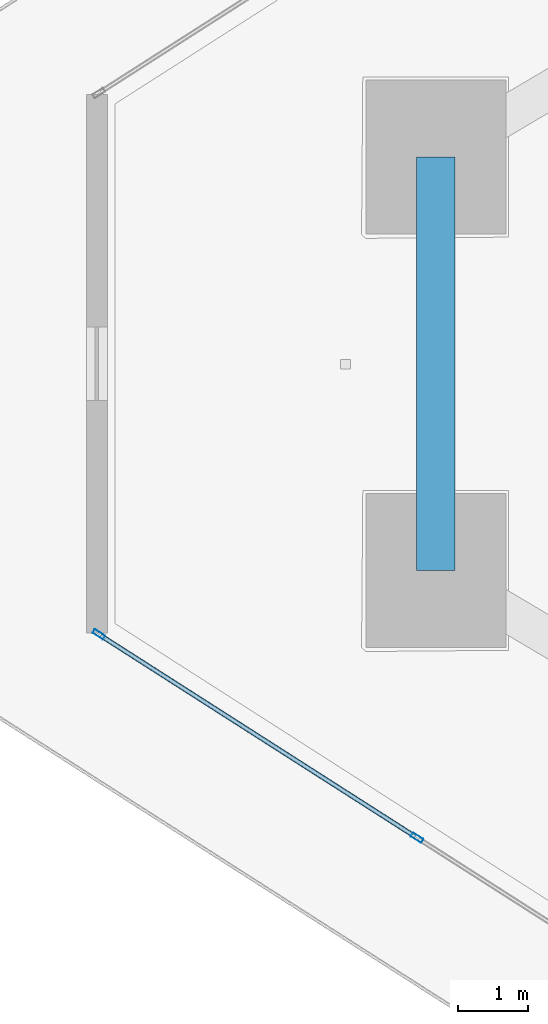
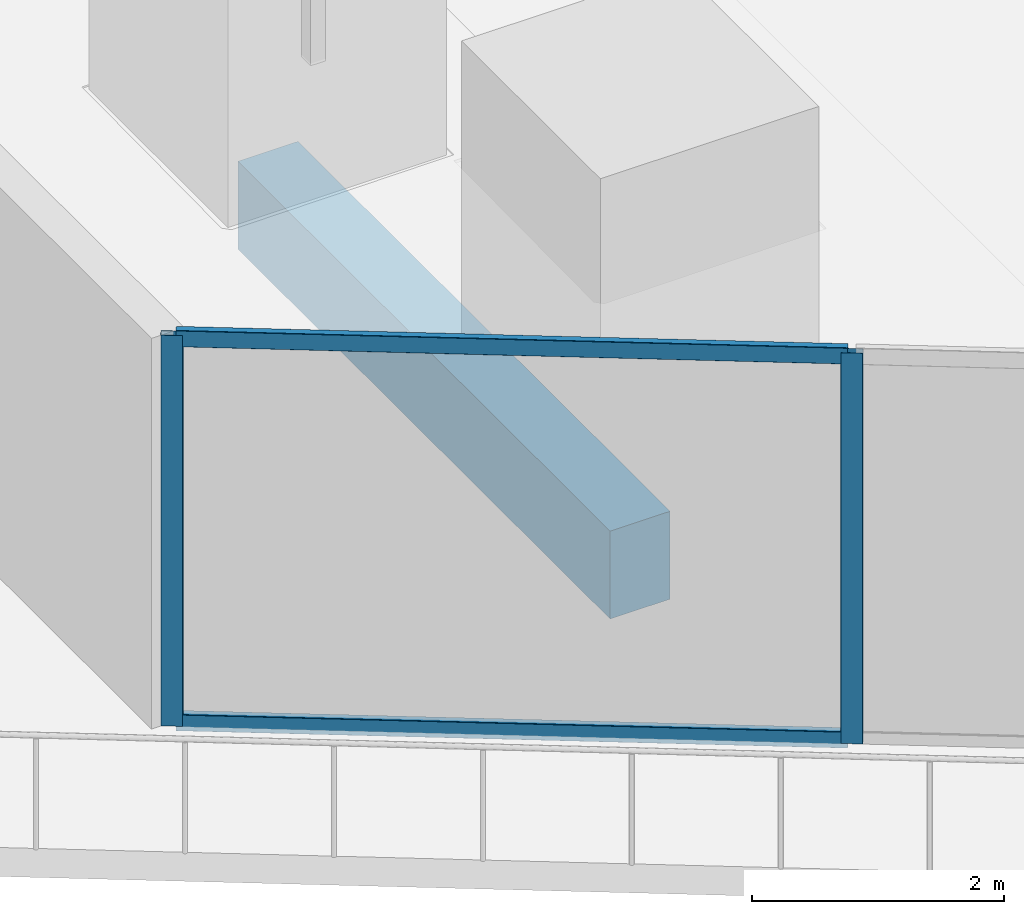
# One storey, part 4 of 35: 4 members, 1 beam, 1 element without a shape of its own.
"""IFC4 building model written with IfcOpenShell, lengths in metres."""

import ifcopenshell
import ifcopenshell.guid

model = None  # the IFC model being written
_history = None  # IfcOwnerHistory: only IFC2X3 demands one
_inside = {}  # id of a spatial element -> (the spatial element, [elements in it])
_under = {}  # id of a project, library or spatial element -> (it, [spatial elements below it])
_declared = {}  # id of a project -> (the project, [libraries it declares])
_typed = {}  # id of a type object -> (the type object, [elements of that type])
_made_of = {}  # id of a material, layer set ... -> (it, [elements and type objects made of it])


def new_model(schema):
    """Start an empty IFC model of exactly this schema.

    Asked for "IFC4X3", IfcOpenShell would pick the latest addendum, in which some entities
    have other attributes; the version numbers below select the first issue.
    IFC2X3 requires an IfcOwnerHistory on every rooted entity: one is made here for all.
    """
    global model, _history
    if schema == "IFC4X3":
        model = ifcopenshell.file(schema_version=(4, 3, 0, 0))
    else:
        model = ifcopenshell.file(schema=schema)
    _inside.clear()
    _under.clear()
    _declared.clear()
    _typed.clear()
    _made_of.clear()
    _history = None
    if model.schema == "IFC2X3":
        org = make("IfcOrganization", Name="unknown")
        user = make(
            "IfcPersonAndOrganization",
            ThePerson=make("IfcPerson", FamilyName="unknown"),
            TheOrganization=org,
        )
        app = make(
            "IfcApplication",
            ApplicationDeveloper=org,
            Version="unknown",
            ApplicationFullName="unknown",
            ApplicationIdentifier="unknown",
        )
        _history = make(
            "IfcOwnerHistory",
            OwningUser=user,
            OwningApplication=app,
            ChangeAction="ADDED",
            CreationDate=0,
        )
    return model


def make(cls, **values):
    """One entity of the class cls with the attributes given. An attribute that is None is left unset."""
    return model.create_entity(
        cls, **{name: value for name, value in values.items() if value is not None}
    )


def rooted(cls, **values):
    """An entity with a GlobalId (a new one), such as an element, a storey or a relation."""
    return make(cls, GlobalId=ifcopenshell.guid.new(), OwnerHistory=_history, **values)


def si_unit(unit_type, name, prefix=None):
    """IfcSIUnit, for example si_unit("LENGTHUNIT", "METRE", prefix="MILLI")."""
    return make("IfcSIUnit", UnitType=unit_type, Prefix=prefix, Name=name)


def assignment(units):
    """IfcUnitAssignment: the units of a project."""
    return None if units is None else make("IfcUnitAssignment", Units=units)


def point(xyz):
    """IfcCartesianPoint."""
    return None if xyz is None else make("IfcCartesianPoint", Coordinates=xyz)


def direction(xyz):
    """IfcDirection."""
    return None if xyz is None else make("IfcDirection", DirectionRatios=xyz)


def frame(location, z_axis=None, x_axis=None):
    """IfcAxis2Placement3D, a coordinate frame: its origin and axes. An axis left out is left unset."""
    return make(
        "IfcAxis2Placement3D",
        Location=point(location),
        Axis=direction(z_axis),
        RefDirection=direction(x_axis),
    )


def frame_2d(location, x_axis=None):
    """IfcAxis2Placement2D, a coordinate frame in the plane: its origin and x axis."""
    return make(
        "IfcAxis2Placement2D", Location=point(location), RefDirection=direction(x_axis)
    )


def origin():
    """The frame at (0, 0, 0) with its axes left unset."""
    return frame((0.0, 0.0, 0.0))


def origin_2d():
    """The frame at (0, 0) in the plane with its x axis left unset."""
    return frame_2d((0.0, 0.0))


def place(relative_to, where):
    """IfcLocalPlacement: puts the frame where relative to a parent placement (None: the world)."""
    return make(
        "IfcLocalPlacement", PlacementRelTo=relative_to, RelativePlacement=where
    )


def context(
    kind, dimensions, precision=None, world=None, true_north=None, identifier=None
):
    """IfcGeometricRepresentationContext, for example the 3D "Model" context."""
    return make(
        "IfcGeometricRepresentationContext",
        ContextIdentifier=identifier,
        ContextType=kind,
        CoordinateSpaceDimension=dimensions,
        Precision=precision,
        WorldCoordinateSystem=world,
        TrueNorth=true_north,
    )


def subcontext(parent, identifier, kind, view, scale=None):
    """IfcGeometricRepresentationSubContext, for example "Body" below "Model"."""
    return make(
        "IfcGeometricRepresentationSubContext",
        ContextIdentifier=identifier,
        ContextType=kind,
        ParentContext=parent,
        TargetScale=scale,
        TargetView=view,
    )


def project(units=None, contexts=None):
    """IfcProject with its units and contexts."""
    return rooted(
        "IfcProject",
        Name="project",
        RepresentationContexts=contexts,
        UnitsInContext=assignment(units),
    )


def spatial(cls, under=None, at=None, **own):
    """A site, building, storey or space (cls), placed at a placement, below another one or the project."""
    s = rooted(cls, ObjectPlacement=at, **own)
    if under is not None:
        _under.setdefault(under.id(), (under, []))[1].append(s)
    return s


def profile(cls, at=None, kind="AREA", **sizes):
    """A parametric profile (cls). Its sizes go by their IFC names, for example OverallWidth=200.0."""
    return make(cls, ProfileType=kind, Position=at, **sizes)


def rectangle(**sizes):
    """IfcRectangleProfileDef."""
    return profile("IfcRectangleProfileDef", **sizes)


def hollow_rectangle(**sizes):
    """IfcRectangleHollowProfileDef."""
    return profile("IfcRectangleHollowProfileDef", **sizes)


def extrude(swept, where, along, depth):
    """IfcExtrudedAreaSolid: the profile swept, set in the frame where, extruded along a direction by depth."""
    return make(
        "IfcExtrudedAreaSolid",
        SweptArea=swept,
        Position=where,
        ExtrudedDirection=direction(along),
        Depth=depth,
    )


def shape(context_of_items, identifier, shape_type, items):
    """IfcShapeRepresentation: the items that make up one representation, for example the "Body"."""
    return make(
        "IfcShapeRepresentation",
        ContextOfItems=context_of_items,
        RepresentationIdentifier=identifier,
        RepresentationType=shape_type,
        Items=items,
    )


def material(Name=None, Category=None):
    """IfcMaterial."""
    return make("IfcMaterial", Name=Name, Category=Category)


def layer(
    of_material, thickness, ventilated=None, Name=None, Category=None, Priority=None
):
    """IfcMaterialLayer: one layer of a wall or slab, of a material (None: an air gap)."""
    return make(
        "IfcMaterialLayer",
        Material=of_material,
        LayerThickness=thickness,
        IsVentilated=ventilated,
        Name=Name,
        Category=Category,
        Priority=Priority,
    )


def layer_set(layers, Name=None):
    """IfcMaterialLayerSet."""
    return make("IfcMaterialLayerSet", MaterialLayers=layers, LayerSetName=Name)


def material_profile(
    of_material, cross_section, Name=None, Category=None, Priority=None
):
    """IfcMaterialProfile: a cross section and its material."""
    return make(
        "IfcMaterialProfile",
        Name=Name,
        Material=of_material,
        Profile=cross_section,
        Priority=Priority,
        Category=Category,
    )


def profile_set(profiles, Name=None, composite=None):
    """IfcMaterialProfileSet."""
    return make(
        "IfcMaterialProfileSet",
        Name=Name,
        MaterialProfiles=profiles,
        CompositeProfile=composite,
    )


def made_of(thing, what):
    """Note that an element or type object is made of a material, layer set ...; save() writes the relation."""
    if what is not None:
        _made_of.setdefault(what.id(), (what, []))[1].append(thing)
    return thing


def type_object(cls, material=None, **own):
    """A type object (cls), such as IfcWallType, which elements share."""
    return made_of(rooted(cls, **own), material)


def element(
    cls,
    number,
    at=None,
    inside=None,
    cuts=None,
    type_object=None,
    material=None,
    context=None,
    identifier="Body",
    shape_type=None,
    held_by="IfcProductDefinitionShape",
    body=None,
    shapes=None,
    **own,
):
    """One element of the class cls, such as IfcWall. Its Tag is "e" and its number.

    at: its placement. inside: the storey or other place that contains it. cuts: it is an
    opening in that element (IfcRelVoidsElement). A single representation is given by context,
    identifier, shape_type and body (its items); several are given by shapes. held_by: the class
    of the entity that holds the representations. save() writes the other relations.
    """
    e = rooted(cls, Tag="e%d" % number, ObjectPlacement=at, **own)
    if body is not None:
        shapes = [shape(context, identifier, shape_type, body)]
    if shapes is not None:
        e.Representation = make(held_by, Representations=shapes)
    if inside is not None:
        _inside.setdefault(inside.id(), (inside, []))[1].append(e)
    if cuts is not None:
        rooted(
            "IfcRelVoidsElement", RelatingBuildingElement=cuts, RelatedOpeningElement=e
        )
    if type_object is not None:
        _typed.setdefault(type_object.id(), (type_object, []))[1].append(e)
    return made_of(e, material)


def aggregate(whole, parts):
    """IfcRelAggregates: a whole, such as a stair, and the parts it consists of."""
    return rooted("IfcRelAggregates", RelatingObject=whole, RelatedObjects=parts)


def save(model, path):
    """Write the relations noted so far, then the file.

    IfcRelAggregates (storeys below a building ...), IfcRelContainedInSpatialStructure (elements
    in a storey), IfcRelDefinesByType, IfcRelAssociatesMaterial and IfcRelDeclares: one each for
    every whole, place, type object, material and project.
    """
    for whole, parts in _under.values():
        aggregate(whole, parts)
    for where, things in _inside.values():
        rooted(
            "IfcRelContainedInSpatialStructure",
            RelatedElements=things,
            RelatingStructure=where,
        )
    for kind, things in _typed.values():
        rooted("IfcRelDefinesByType", RelatedObjects=things, RelatingType=kind)
    for what, things in _made_of.values():
        rooted("IfcRelAssociatesMaterial", RelatedObjects=things, RelatingMaterial=what)
    for by, libraries in _declared.values():
        rooted("IfcRelDeclares", RelatingContext=by, RelatedDefinitions=libraries)
    model.write(path)


model = new_model("IFC4")

# Units and contexts
model_context = context("Model", 3, precision=1e-05, world=origin(), true_north=direction((0.0, 1.0)))
body_context = subcontext(model_context, "Body", "Model", "MODEL_VIEW")
ifc_project = project(units=[si_unit("LENGTHUNIT", "METRE"), si_unit("AREAUNIT", "SQUARE_METRE"), si_unit("VOLUMEUNIT", "CUBIC_METRE"), si_unit("PLANEANGLEUNIT", "RADIAN"), si_unit("MASSUNIT", "GRAM", prefix="KILO")], contexts=[model_context])

# Site, building, storey
site_placement = place(None, origin())
site = spatial("IfcSite", under=ifc_project, at=site_placement, CompositionType="ELEMENT")
building_placement = place(site_placement, origin())
building = spatial("IfcBuilding", under=site, at=building_placement, Name="Qorvath Tower", CompositionType="ELEMENT")
storey_placement = place(building_placement, frame((0.0, 0.0, 130.050048828125)))
storey = spatial("IfcBuildingStorey", under=building, at=storey_placement, Name="L29", CompositionType="ELEMENT", Elevation=130.050048828125)

# Beam
ifc_material_1 = material(Name="Concrete C50/60", Category="concrete")
ifc_material_profile_1 = material_profile(ifc_material_1, rectangle(XDim=0.550048828125, YDim=0.85009765625, at=origin_2d()), Name="RCB 850x550")
ifc_profile_set_1 = profile_set([ifc_material_profile_1], Name="Concrete C50/60")
beam_type = type_object("IfcBeamType", Name="BM-RCB2", PredefinedType="SPANDREL", material=ifc_profile_set_1)
beam_placement = place(storey_placement, frame((-53.04931640625, 2.95068359375, -0.705078125), z_axis=(0.0, -1.0, 0.0), x_axis=(1.0, 0.0, 0.0)))
element("IfcBeam", 1, at=beam_placement, inside=storey, type_object=beam_type, Name="Perimeter Loggia Frame Beam MC1-MC2 L29", PredefinedType="SPANDREL", context=body_context, shape_type="SweptSolid", body=[
    extrude(rectangle(XDim=0.550048828125, YDim=0.85009765625, at=origin_2d()), origin(), (0.0, 0.0, 1.0), 5.9013671875),
])

# Curtain wall, members
ifc_material_2 = material(Name="Anodised aluminium and triple low-E glass", Category="aluminium")
ifc_layer = layer(ifc_material_2, 0.179931640625)
ifc_layer_set = layer_set([ifc_layer], Name="CW-SYS-2")
curtain_wall_type = type_object("IfcCurtainWallType", Name="CW-SYS-2", PredefinedType="NOTDEFINED", material=ifc_layer_set)
curtain_wall_placement = place(storey_placement, origin())
curtain_wall = element("IfcCurtainWall", 2, at=curtain_wall_placement, inside=storey, type_object=curtain_wall_type, Name="Curtain Wall CW-2 CW-T-L29-2.1", PredefinedType="NOTDEFINED")
ifc_material_3 = material(Name="Anodised aluminium 6063-T6", Category="aluminium")
ifc_material_profile_2 = material_profile(ifc_material_3, hollow_rectangle(XDim=0.06494140625, YDim=0.179931640625, WallThickness=0.00341796875, InnerFilletRadius=0.00341796875, OuterFilletRadius=0.007080078125, at=origin_2d()), Name="CWM 180x65")
ifc_profile_set_2 = profile_set([ifc_material_profile_2], Name="Anodised aluminium 6063-T6")
member_type_1 = type_object("IfcMemberType", Name="CWM-180", PredefinedType="MULLION", material=ifc_profile_set_2)
member_1_placement = place(storey_placement, frame((-57.86181640625, -3.8662109375, 0.0), z_axis=(0.0, 0.0, 1.0), x_axis=(0.538534177075, 0.842603667285, 0.0)))
member_1 = element("IfcMember", 3, at=member_1_placement, type_object=member_type_1, Name="CW-2 mullion 1", PredefinedType="MULLION", context=body_context, shape_type="SweptSolid", body=[
    extrude(hollow_rectangle(XDim=0.06494140625, YDim=0.179931640625, WallThickness=0.00341796875, InnerFilletRadius=0.00341796875, OuterFilletRadius=0.007080078125, at=origin_2d()), origin(), (0.0, 0.0, 1.0), 3.780029296875),
])
member_2_placement = place(storey_placement, frame((-53.317138671875, -6.770751953125, 0.0), z_axis=(0.0, 0.0, 1.0), x_axis=(0.538534177075, 0.842603667285, 0.0)))
member_2 = element("IfcMember", 4, at=member_2_placement, type_object=member_type_1, Name="CW-2 mullion 2", PredefinedType="MULLION", context=body_context, shape_type="SweptSolid", body=[
    extrude(hollow_rectangle(XDim=0.06494140625, YDim=0.179931640625, WallThickness=0.00341796875, InnerFilletRadius=0.00341796875, OuterFilletRadius=0.007080078125, at=origin_2d()), origin(), (0.0, 0.0, 1.0), 3.780029296875),
])
ifc_material_4 = material(Name="Anodised aluminium 6063-T6", Category="aluminium")
ifc_material_profile_3 = material_profile(ifc_material_4, hollow_rectangle(XDim=0.06494140625, YDim=0.159912109375, WallThickness=0.00341796875, InnerFilletRadius=0.00341796875, OuterFilletRadius=0.007080078125, at=origin_2d()), Name="CWT 160x65")
ifc_profile_set_3 = profile_set([ifc_material_profile_3], Name="Anodised aluminium 6063-T6")
member_type_2 = type_object("IfcMemberType", Name="CWT-160", PredefinedType="USERDEFINED", material=ifc_profile_set_3)
member_3_placement = place(storey_placement, frame((-57.83447265625, -3.883544921875, 0.032470703125), z_axis=(0.842609059562, -0.538525740095, 0.0), x_axis=(0.538525740095, 0.842609059562, 0.0)))
member_3 = element("IfcMember", 5, at=member_3_placement, type_object=member_type_2, Name="CW-2 transom 1.1", ObjectType="TRANSOM", PredefinedType="USERDEFINED", context=body_context, shape_type="SweptSolid", body=[
    extrude(hollow_rectangle(XDim=0.06494140625, YDim=0.159912109375, WallThickness=0.00341796875, InnerFilletRadius=0.00341796875, OuterFilletRadius=0.007080078125, at=origin_2d()), origin(), (0.0, 0.0, 1.0), 5.32861328125),
])
member_4_placement = place(storey_placement, frame((-57.83447265625, -3.883544921875, 3.74755859375), z_axis=(0.842609059562, -0.538525740095, 0.0), x_axis=(0.538525740095, 0.842609059562, 0.0)))
member_4 = element("IfcMember", 6, at=member_4_placement, type_object=member_type_2, Name="CW-2 transom 1.2", ObjectType="TRANSOM", PredefinedType="USERDEFINED", context=body_context, shape_type="SweptSolid", body=[
    extrude(hollow_rectangle(XDim=0.06494140625, YDim=0.159912109375, WallThickness=0.00341796875, InnerFilletRadius=0.00341796875, OuterFilletRadius=0.007080078125, at=origin_2d()), origin(), (0.0, 0.0, 1.0), 5.32861328125),
])
aggregate(curtain_wall, [member_1, member_2, member_3, member_4])

save(model, "model.ifc")
